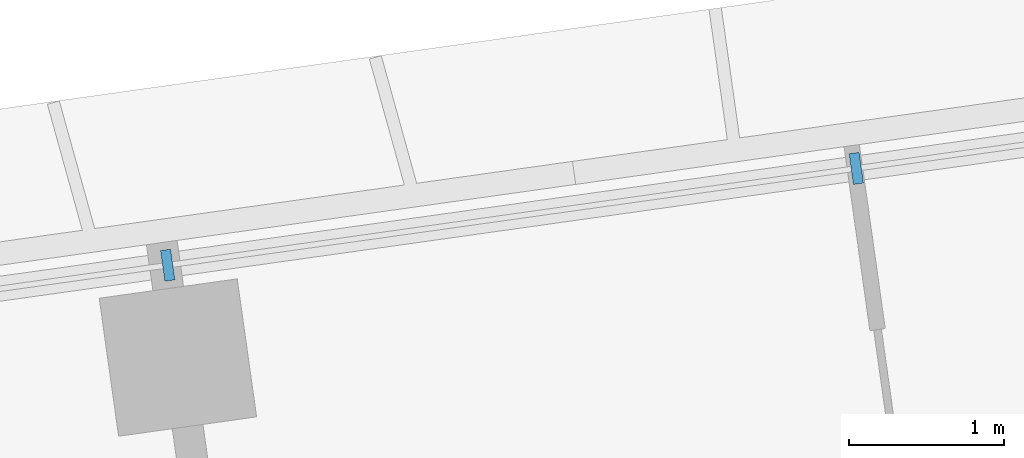
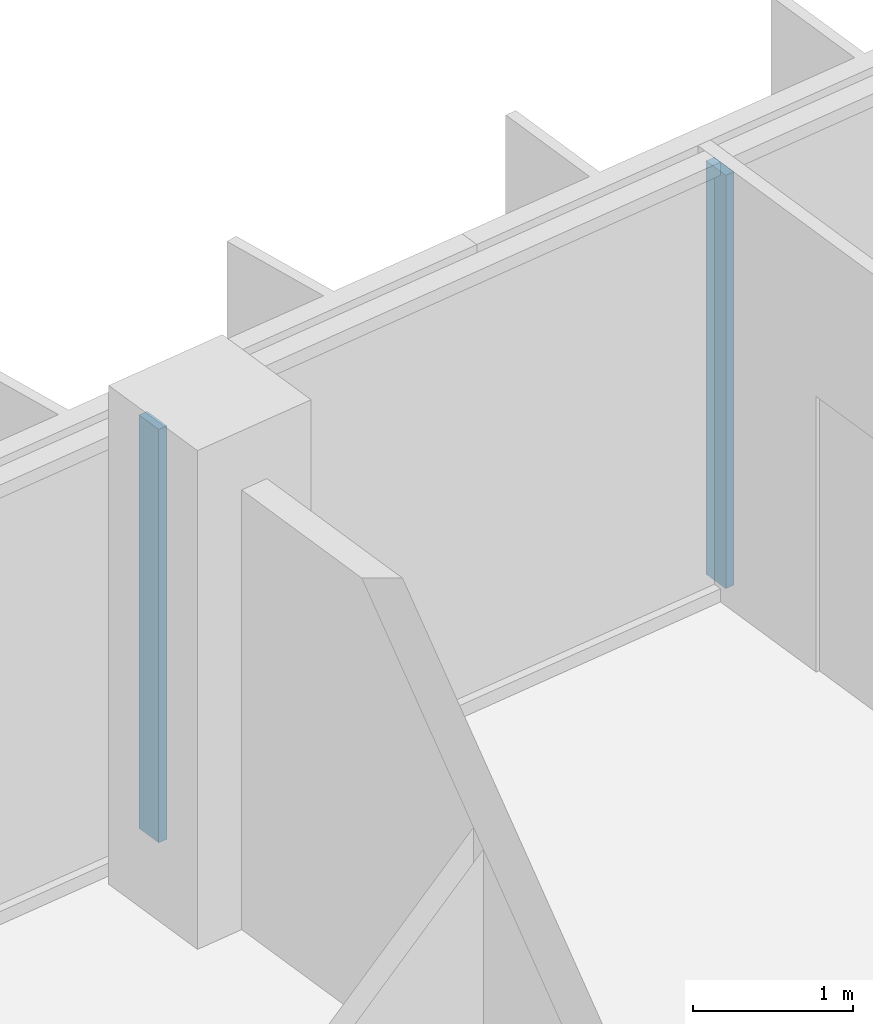
# One storey, part 11 of 33: 2 members, 1 element without a shape of its own.
"""IFC4 building model written with IfcOpenShell, lengths in metres."""

from ifc_helpers import new_model, si_unit, direction, frame, origin, origin_2d, place, context, subcontext, project, spatial, rectangle, extrude, material, material_profile, profile_set, type_object, element, aggregate, save


model = new_model("IFC4")

# Units and contexts
model_context = context("Model", 3, precision=1e-05, world=origin(), true_north=direction((0.0, 1.0)))
body_context = subcontext(model_context, "Body", "Model", "MODEL_VIEW")
ifc_project = project(units=[si_unit("LENGTHUNIT", "METRE"), si_unit("AREAUNIT", "SQUARE_METRE"), si_unit("VOLUMEUNIT", "CUBIC_METRE"), si_unit("PLANEANGLEUNIT", "RADIAN"), si_unit("MASSUNIT", "GRAM", prefix="KILO")], contexts=[model_context])

# Site, building, storey
site_placement = place(None, origin())
site = spatial("IfcSite", under=ifc_project, at=site_placement, CompositionType="ELEMENT")
building_placement = place(site_placement, origin())
building = spatial("IfcBuilding", under=site, at=building_placement, Name="Mirante Cascada Hotel Towers", CompositionType="ELEMENT")
storey_placement = place(building_placement, frame((0.0, 0.0, 121.5)))
storey = spatial("IfcBuildingStorey", under=building, at=storey_placement, Name="L27", CompositionType="ELEMENT", Elevation=121.5)

# Curtain wall, members
ifc_material_1 = material(Name="Aluminium mullion and transom frame with clear laminated glass", Category="aluminium")
curtain_wall_type = type_object("IfcCurtainWallType", Name="Ribbon curtain wall ECW1", PredefinedType="NOTDEFINED", material=ifc_material_1)
curtain_wall_placement = place(storey_placement, origin())
curtain_wall = element("IfcCurtainWall", 1, at=curtain_wall_placement, inside=storey, type_object=curtain_wall_type, Name="Front ribbon wall T2 L27", PredefinedType="NOTDEFINED")
ifc_material_2 = material(Name="Anodised aluminium extrusion", Category="aluminium")
ifc_material_profile = material_profile(ifc_material_2, rectangle(XDim=0.2, YDim=0.065, at=origin_2d()), Name="ECW1 MULLION 65x200")
ifc_profile_set = profile_set([ifc_material_profile], Name="Anodised aluminium extrusion")
member_type = type_object("IfcMemberType", Name="ECW1 mullion 65x200", PredefinedType="MULLION", material=ifc_profile_set)
member_1_placement = place(storey_placement, frame((58.5788, 21.0517, 0.1), z_axis=(0.0, 0.0, 1.0), x_axis=(0.1391731, -0.9902681, 0.0)))
member_1 = element("IfcMember", 2, at=member_1_placement, type_object=member_type, Name="ECW1 mullion 9", PredefinedType="MULLION", context=body_context, shape_type="SweptSolid", body=[
    extrude(rectangle(XDim=0.2, YDim=0.065, at=origin_2d()), origin(), (0.0, 0.0, 1.0), 3.15),
])
member_2_placement = place(storey_placement, frame((54.1314, 20.4267, 0.1), z_axis=(0.0, 0.0, 1.0), x_axis=(0.1391731, -0.9902681, 0.0)))
member_2 = element("IfcMember", 3, at=member_2_placement, type_object=member_type, Name="ECW1 mullion 10", PredefinedType="MULLION", context=body_context, shape_type="SweptSolid", body=[
    extrude(rectangle(XDim=0.2, YDim=0.065, at=origin_2d()), origin(), (0.0, 0.0, 1.0), 3.15),
])
aggregate(curtain_wall, [member_1, member_2])

save(model, "model.ifc")
